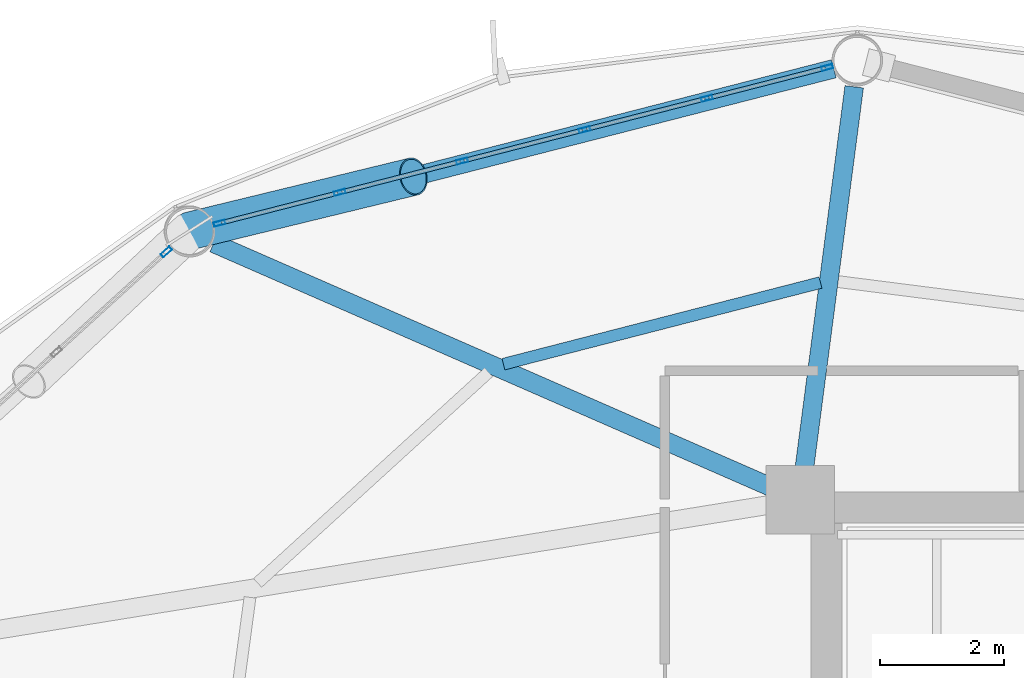
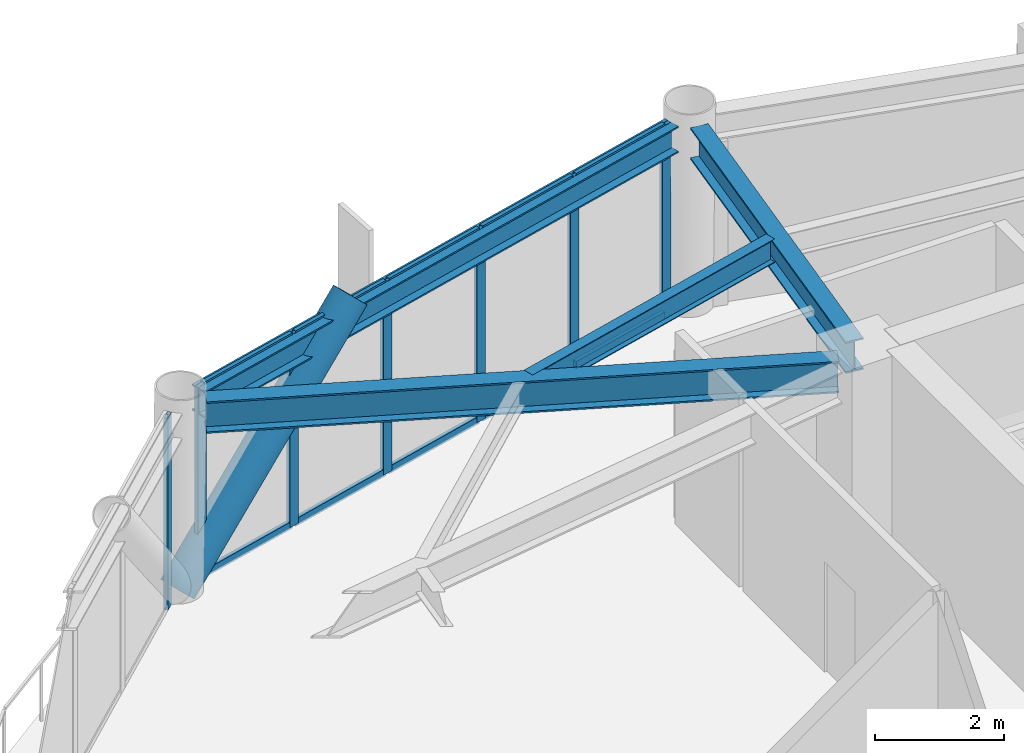
# One storey, part 16 of 25: 18 members, 4 beams, 2 elements without a shape of their own.
"""IFC4 building model written with IfcOpenShell, lengths in metres."""

import ifcopenshell
import ifcopenshell.guid

model = None  # the IFC model being written
_history = None  # IfcOwnerHistory: only IFC2X3 demands one
_inside = {}  # id of a spatial element -> (the spatial element, [elements in it])
_under = {}  # id of a project, library or spatial element -> (it, [spatial elements below it])
_declared = {}  # id of a project -> (the project, [libraries it declares])
_typed = {}  # id of a type object -> (the type object, [elements of that type])
_made_of = {}  # id of a material, layer set ... -> (it, [elements and type objects made of it])


def new_model(schema):
    """Start an empty IFC model of exactly this schema.

    Asked for "IFC4X3", IfcOpenShell would pick the latest addendum, in which some entities
    have other attributes; the version numbers below select the first issue.
    IFC2X3 requires an IfcOwnerHistory on every rooted entity: one is made here for all.
    """
    global model, _history
    if schema == "IFC4X3":
        model = ifcopenshell.file(schema_version=(4, 3, 0, 0))
    else:
        model = ifcopenshell.file(schema=schema)
    _inside.clear()
    _under.clear()
    _declared.clear()
    _typed.clear()
    _made_of.clear()
    _history = None
    if model.schema == "IFC2X3":
        org = make("IfcOrganization", Name="unknown")
        user = make(
            "IfcPersonAndOrganization",
            ThePerson=make("IfcPerson", FamilyName="unknown"),
            TheOrganization=org,
        )
        app = make(
            "IfcApplication",
            ApplicationDeveloper=org,
            Version="unknown",
            ApplicationFullName="unknown",
            ApplicationIdentifier="unknown",
        )
        _history = make(
            "IfcOwnerHistory",
            OwningUser=user,
            OwningApplication=app,
            ChangeAction="ADDED",
            CreationDate=0,
        )
    return model


def make(cls, **values):
    """One entity of the class cls with the attributes given. An attribute that is None is left unset."""
    return model.create_entity(
        cls, **{name: value for name, value in values.items() if value is not None}
    )


def rooted(cls, **values):
    """An entity with a GlobalId (a new one), such as an element, a storey or a relation."""
    return make(cls, GlobalId=ifcopenshell.guid.new(), OwnerHistory=_history, **values)


def si_unit(unit_type, name, prefix=None):
    """IfcSIUnit, for example si_unit("LENGTHUNIT", "METRE", prefix="MILLI")."""
    return make("IfcSIUnit", UnitType=unit_type, Prefix=prefix, Name=name)


def assignment(units):
    """IfcUnitAssignment: the units of a project."""
    return None if units is None else make("IfcUnitAssignment", Units=units)


def point(xyz):
    """IfcCartesianPoint."""
    return None if xyz is None else make("IfcCartesianPoint", Coordinates=xyz)


def direction(xyz):
    """IfcDirection."""
    return None if xyz is None else make("IfcDirection", DirectionRatios=xyz)


def frame(location, z_axis=None, x_axis=None):
    """IfcAxis2Placement3D, a coordinate frame: its origin and axes. An axis left out is left unset."""
    return make(
        "IfcAxis2Placement3D",
        Location=point(location),
        Axis=direction(z_axis),
        RefDirection=direction(x_axis),
    )


def frame_2d(location, x_axis=None):
    """IfcAxis2Placement2D, a coordinate frame in the plane: its origin and x axis."""
    return make(
        "IfcAxis2Placement2D", Location=point(location), RefDirection=direction(x_axis)
    )


def origin():
    """The frame at (0, 0, 0) with its axes left unset."""
    return frame((0.0, 0.0, 0.0))


def origin_2d():
    """The frame at (0, 0) in the plane with its x axis left unset."""
    return frame_2d((0.0, 0.0))


def place(relative_to, where):
    """IfcLocalPlacement: puts the frame where relative to a parent placement (None: the world)."""
    return make(
        "IfcLocalPlacement", PlacementRelTo=relative_to, RelativePlacement=where
    )


def context(
    kind, dimensions, precision=None, world=None, true_north=None, identifier=None
):
    """IfcGeometricRepresentationContext, for example the 3D "Model" context."""
    return make(
        "IfcGeometricRepresentationContext",
        ContextIdentifier=identifier,
        ContextType=kind,
        CoordinateSpaceDimension=dimensions,
        Precision=precision,
        WorldCoordinateSystem=world,
        TrueNorth=true_north,
    )


def subcontext(parent, identifier, kind, view, scale=None):
    """IfcGeometricRepresentationSubContext, for example "Body" below "Model"."""
    return make(
        "IfcGeometricRepresentationSubContext",
        ContextIdentifier=identifier,
        ContextType=kind,
        ParentContext=parent,
        TargetScale=scale,
        TargetView=view,
    )


def project(units=None, contexts=None):
    """IfcProject with its units and contexts."""
    return rooted(
        "IfcProject",
        Name="project",
        RepresentationContexts=contexts,
        UnitsInContext=assignment(units),
    )


def spatial(cls, under=None, at=None, **own):
    """A site, building, storey or space (cls), placed at a placement, below another one or the project."""
    s = rooted(cls, ObjectPlacement=at, **own)
    if under is not None:
        _under.setdefault(under.id(), (under, []))[1].append(s)
    return s


def profile(cls, at=None, kind="AREA", **sizes):
    """A parametric profile (cls). Its sizes go by their IFC names, for example OverallWidth=200.0."""
    return make(cls, ProfileType=kind, Position=at, **sizes)


def hollow_rectangle(**sizes):
    """IfcRectangleHollowProfileDef."""
    return profile("IfcRectangleHollowProfileDef", **sizes)


def hollow_circle(**sizes):
    """IfcCircleHollowProfileDef."""
    return profile("IfcCircleHollowProfileDef", **sizes)


def i_section(**sizes):
    """IfcIShapeProfileDef."""
    return profile("IfcIShapeProfileDef", **sizes)


def extrude(swept, where, along, depth):
    """IfcExtrudedAreaSolid: the profile swept, set in the frame where, extruded along a direction by depth."""
    return make(
        "IfcExtrudedAreaSolid",
        SweptArea=swept,
        Position=where,
        ExtrudedDirection=direction(along),
        Depth=depth,
    )


def shape(context_of_items, identifier, shape_type, items):
    """IfcShapeRepresentation: the items that make up one representation, for example the "Body"."""
    return make(
        "IfcShapeRepresentation",
        ContextOfItems=context_of_items,
        RepresentationIdentifier=identifier,
        RepresentationType=shape_type,
        Items=items,
    )


def material(Name=None, Category=None):
    """IfcMaterial."""
    return make("IfcMaterial", Name=Name, Category=Category)


def layer(
    of_material, thickness, ventilated=None, Name=None, Category=None, Priority=None
):
    """IfcMaterialLayer: one layer of a wall or slab, of a material (None: an air gap)."""
    return make(
        "IfcMaterialLayer",
        Material=of_material,
        LayerThickness=thickness,
        IsVentilated=ventilated,
        Name=Name,
        Category=Category,
        Priority=Priority,
    )


def layer_set(layers, Name=None):
    """IfcMaterialLayerSet."""
    return make("IfcMaterialLayerSet", MaterialLayers=layers, LayerSetName=Name)


def material_profile(
    of_material, cross_section, Name=None, Category=None, Priority=None
):
    """IfcMaterialProfile: a cross section and its material."""
    return make(
        "IfcMaterialProfile",
        Name=Name,
        Material=of_material,
        Profile=cross_section,
        Priority=Priority,
        Category=Category,
    )


def profile_set(profiles, Name=None, composite=None):
    """IfcMaterialProfileSet."""
    return make(
        "IfcMaterialProfileSet",
        Name=Name,
        MaterialProfiles=profiles,
        CompositeProfile=composite,
    )


def made_of(thing, what):
    """Note that an element or type object is made of a material, layer set ...; save() writes the relation."""
    if what is not None:
        _made_of.setdefault(what.id(), (what, []))[1].append(thing)
    return thing


def type_object(cls, material=None, **own):
    """A type object (cls), such as IfcWallType, which elements share."""
    return made_of(rooted(cls, **own), material)


def element(
    cls,
    number,
    at=None,
    inside=None,
    cuts=None,
    type_object=None,
    material=None,
    context=None,
    identifier="Body",
    shape_type=None,
    held_by="IfcProductDefinitionShape",
    body=None,
    shapes=None,
    **own,
):
    """One element of the class cls, such as IfcWall. Its Tag is "e" and its number.

    at: its placement. inside: the storey or other place that contains it. cuts: it is an
    opening in that element (IfcRelVoidsElement). A single representation is given by context,
    identifier, shape_type and body (its items); several are given by shapes. held_by: the class
    of the entity that holds the representations. save() writes the other relations.
    """
    e = rooted(cls, Tag="e%d" % number, ObjectPlacement=at, **own)
    if body is not None:
        shapes = [shape(context, identifier, shape_type, body)]
    if shapes is not None:
        e.Representation = make(held_by, Representations=shapes)
    if inside is not None:
        _inside.setdefault(inside.id(), (inside, []))[1].append(e)
    if cuts is not None:
        rooted(
            "IfcRelVoidsElement", RelatingBuildingElement=cuts, RelatedOpeningElement=e
        )
    if type_object is not None:
        _typed.setdefault(type_object.id(), (type_object, []))[1].append(e)
    return made_of(e, material)


def aggregate(whole, parts):
    """IfcRelAggregates: a whole, such as a stair, and the parts it consists of."""
    return rooted("IfcRelAggregates", RelatingObject=whole, RelatedObjects=parts)


def save(model, path):
    """Write the relations noted so far, then the file.

    IfcRelAggregates (storeys below a building ...), IfcRelContainedInSpatialStructure (elements
    in a storey), IfcRelDefinesByType, IfcRelAssociatesMaterial and IfcRelDeclares: one each for
    every whole, place, type object, material and project.
    """
    for whole, parts in _under.values():
        aggregate(whole, parts)
    for where, things in _inside.values():
        rooted(
            "IfcRelContainedInSpatialStructure",
            RelatedElements=things,
            RelatingStructure=where,
        )
    for kind, things in _typed.values():
        rooted("IfcRelDefinesByType", RelatedObjects=things, RelatingType=kind)
    for what, things in _made_of.values():
        rooted("IfcRelAssociatesMaterial", RelatedObjects=things, RelatingMaterial=what)
    for by, libraries in _declared.values():
        rooted("IfcRelDeclares", RelatingContext=by, RelatedDefinitions=libraries)
    model.write(path)


model = new_model("IFC4")

# Units and contexts
model_context = context("Model", 3, precision=1e-05, world=origin(), true_north=direction((0.0, 1.0)))
body_context = subcontext(model_context, "Body", "Model", "MODEL_VIEW")
ifc_project = project(units=[si_unit("LENGTHUNIT", "METRE"), si_unit("AREAUNIT", "SQUARE_METRE"), si_unit("VOLUMEUNIT", "CUBIC_METRE"), si_unit("PLANEANGLEUNIT", "RADIAN"), si_unit("MASSUNIT", "GRAM", prefix="KILO")], contexts=[model_context])

# Site, building, storey
site_placement = place(None, origin())
site = spatial("IfcSite", under=ifc_project, at=site_placement, CompositionType="ELEMENT")
building_placement = place(site_placement, origin())
building = spatial("IfcBuilding", under=site, at=building_placement, Name="Varnakorn Sky Granary", CompositionType="ELEMENT")
storey_placement = place(building_placement, frame((0.0, 0.0, 99.300048828125)))
storey = spatial("IfcBuildingStorey", under=building, at=storey_placement, Name="L24", CompositionType="ELEMENT", Elevation=99.300048828125)

# Beams
ifc_material_1 = material(Name="Steel S355JR", Category="steel")
ifc_material_profile_1 = material_profile(ifc_material_1, i_section(OverallWidth=0.300048828125, OverallDepth=0.60009765625, WebThickness=0.015380859375, FlangeThickness=0.030029296875, at=origin_2d()), Name="HE 600 B")
ifc_profile_set_1 = profile_set([ifc_material_profile_1], Name="Steel S355JR")
beam_type_1 = type_object("IfcBeamType", Name="BM-RAD-Z2", PredefinedType="BEAM", material=ifc_profile_set_1)
beam_1_placement = place(storey_placement, frame((-2.365478515625, 13.03662109375, 3.33984375), z_axis=(0.129561599081, 0.991571375164, 0.0), x_axis=(-0.991571375164, 0.129561599081, 0.0)))
element("IfcBeam", 1, at=beam_1_placement, inside=storey, type_object=beam_type_1, Name="Radial Floor Girder RG04 L24", PredefinedType="BEAM", context=body_context, shape_type="SweptSolid", body=[
    extrude(i_section(OverallWidth=0.300048828125, OverallDepth=0.60009765625, WebThickness=0.015380859375, FlangeThickness=0.030029296875, at=origin_2d()), origin(), (0.0, 0.0, 1.0), 6.2880859375),
])
beam_2_placement = place(storey_placement, frame((-2.8046875, 12.788330078125, 3.33984375), z_axis=(-0.916161867429, 0.400808473798, 0.0), x_axis=(-0.400808473798, -0.916161867429, 0.0)))
element("IfcBeam", 2, at=beam_2_placement, inside=storey, type_object=beam_type_1, Name="Radial Floor Girder RG05 L24", PredefinedType="BEAM", context=body_context, shape_type="SweptSolid", body=[
    extrude(i_section(OverallWidth=0.300048828125, OverallDepth=0.60009765625, WebThickness=0.015380859375, FlangeThickness=0.030029296875, at=origin_2d()), origin(), (0.0, 0.0, 1.0), 9.8896484375),
])
ifc_material_profile_2 = material_profile(ifc_material_1, i_section(OverallWidth=0.18994140625, OverallDepth=0.449951171875, WebThickness=0.009521484375, FlangeThickness=0.0146484375, at=origin_2d()), Name="IPE 450")
ifc_profile_set_2 = profile_set([ifc_material_profile_2], Name="Steel S355JR")
beam_type_2 = type_object("IfcBeamType", Name="BM-SEC-Z2", PredefinedType="BEAM", material=ifc_profile_set_2)
beam_3_placement = place(storey_placement, frame((-2.09375, 16.119384765625, 3.4150390625), z_axis=(-0.96843291014, -0.249274343962, 0.0), x_axis=(0.249274343962, -0.96843291014, 0.0)))
element("IfcBeam", 3, at=beam_3_placement, inside=storey, type_object=beam_type_2, Name="Secondary Floor Chord Beam MSB04 L24", PredefinedType="BEAM", context=body_context, shape_type="SweptSolid", body=[
    extrude(i_section(OverallWidth=0.18994140625, OverallDepth=0.449951171875, WebThickness=0.009521484375, FlangeThickness=0.0146484375, at=origin_2d()), origin(), (0.0, 0.0, 1.0), 5.272216796875),
])
ifc_material_profile_3 = material_profile(ifc_material_1, i_section(OverallWidth=0.300048828125, OverallDepth=0.5, WebThickness=0.014404296875, FlangeThickness=0.028076171875, at=origin_2d()), Name="HE 500 B")
ifc_profile_set_3 = profile_set([ifc_material_profile_3], Name="Steel S355JR")
beam_type_3 = type_object("IfcBeamType", Name="BM-SPD-Z2", PredefinedType="SPANDREL", material=ifc_profile_set_3)
beam_4_placement = place(storey_placement, frame((-1.879150390625, 19.562744140625, 3.389892578125), z_axis=(-0.968637656568, -0.248477544818, 0.0), x_axis=(0.248477544818, -0.968637656568, 0.0)))
element("IfcBeam", 4, at=beam_4_placement, inside=storey, type_object=beam_type_3, Name="Perimeter Spandrel Ring Beam RB04 L24", PredefinedType="SPANDREL", context=body_context, shape_type="SweptSolid", body=[
    extrude(i_section(OverallWidth=0.300048828125, OverallDepth=0.5, WebThickness=0.014404296875, FlangeThickness=0.028076171875, at=origin_2d()), origin(), (0.0, 0.0, 1.0), 10.288330078125),
])

# Curtain wall, members
ifc_material_2 = material(Name="Anodised Bronze Aluminium Alloy 6063-T6", Category="aluminium")
ifc_layer = layer(ifc_material_2, 0.18994140625, Name="Anodised Bronze Aluminium Alloy 6063-T6")
ifc_layer_set = layer_set([ifc_layer], Name="Anodised Bronze Aluminium Alloy 6063-T6")
curtain_wall_type = type_object("IfcCurtainWallType", Name="CW-FRM-1", PredefinedType="USERDEFINED", material=ifc_layer_set)
curtain_wall_1_placement = place(storey_placement, origin())
curtain_wall_1 = element("IfcCurtainWall", 5, at=curtain_wall_1_placement, inside=storey, type_object=curtain_wall_type, Name="Unitised Curtain Wall CW3 CW-L24-B04", ObjectType="CURTAIN WALL", PredefinedType="USERDEFINED")
ifc_material_profile_4 = material_profile(ifc_material_2, hollow_rectangle(XDim=0.070068359375, YDim=0.18505859375, WallThickness=0.00390625, at=origin_2d()), Name="ALU MULL 70x185")
ifc_profile_set_4 = profile_set([ifc_material_profile_4], Name="Anodised Bronze Aluminium Alloy 6063-T6")
member_type_1 = type_object("IfcMemberType", Name="CW-FRM-1-MULL", PredefinedType="MULLION", material=ifc_profile_set_4)
member_1_placement = place(storey_placement, frame((-11.771728515625, 17.07421875, 0.0), z_axis=(0.0, 0.0, 1.0), x_axis=(-0.248284052868, 0.968687271049, 0.0)))
member_1 = element("IfcMember", 6, at=member_1_placement, type_object=member_type_1, Name="CW3 mullion 1", PredefinedType="MULLION", context=body_context, shape_type="SweptSolid", body=[
    extrude(hollow_rectangle(XDim=0.070068359375, YDim=0.18505859375, WallThickness=0.00390625, at=origin_2d()), origin(), (0.0, 0.0, 1.0), 3.639892578125),
])
member_2_placement = place(storey_placement, frame((-9.8349609375, 17.57080078125, 0.0), z_axis=(0.0, 0.0, 1.0), x_axis=(-0.248284052868, 0.968687271049, 0.0)))
member_2 = element("IfcMember", 7, at=member_2_placement, type_object=member_type_1, Name="CW3 mullion 2", PredefinedType="MULLION", context=body_context, shape_type="SweptSolid", body=[
    extrude(hollow_rectangle(XDim=0.070068359375, YDim=0.18505859375, WallThickness=0.00390625, at=origin_2d()), origin(), (0.0, 0.0, 1.0), 3.639892578125),
])
member_3_placement = place(storey_placement, frame((-7.864013671875, 18.075927734375, 0.0), z_axis=(0.0, 0.0, 1.0), x_axis=(-0.248284052868, 0.968687271049, 0.0)))
member_3 = element("IfcMember", 8, at=member_3_placement, type_object=member_type_1, Name="CW3 mullion 3", PredefinedType="MULLION", context=body_context, shape_type="SweptSolid", body=[
    extrude(hollow_rectangle(XDim=0.070068359375, YDim=0.18505859375, WallThickness=0.00390625, at=origin_2d()), origin(), (0.0, 0.0, 1.0), 3.639892578125),
])
member_4_placement = place(storey_placement, frame((-5.893310546875, 18.5810546875, 0.0), z_axis=(0.0, 0.0, 1.0), x_axis=(-0.248284052868, 0.968687271049, 0.0)))
member_4 = element("IfcMember", 9, at=member_4_placement, type_object=member_type_1, Name="CW3 mullion 4", PredefinedType="MULLION", context=body_context, shape_type="SweptSolid", body=[
    extrude(hollow_rectangle(XDim=0.070068359375, YDim=0.18505859375, WallThickness=0.00390625, at=origin_2d()), origin(), (0.0, 0.0, 1.0), 3.639892578125),
])
member_5_placement = place(storey_placement, frame((-3.922607421875, 19.086181640625, 0.0), z_axis=(0.0, 0.0, 1.0), x_axis=(-0.248284052868, 0.968687271049, 0.0)))
member_5 = element("IfcMember", 10, at=member_5_placement, type_object=member_type_1, Name="CW3 mullion 5", PredefinedType="MULLION", context=body_context, shape_type="SweptSolid", body=[
    extrude(hollow_rectangle(XDim=0.070068359375, YDim=0.18505859375, WallThickness=0.00390625, at=origin_2d()), origin(), (0.0, 0.0, 1.0), 3.639892578125),
])
member_6_placement = place(storey_placement, frame((-1.98583984375, 19.58251953125, 0.0), z_axis=(0.0, 0.0, 1.0), x_axis=(-0.248284052868, 0.968687271049, 0.0)))
member_6 = element("IfcMember", 11, at=member_6_placement, type_object=member_type_1, Name="CW3 mullion 6", PredefinedType="MULLION", context=body_context, shape_type="SweptSolid", body=[
    extrude(hollow_rectangle(XDim=0.070068359375, YDim=0.18505859375, WallThickness=0.00390625, at=origin_2d()), origin(), (0.0, 0.0, 1.0), 3.639892578125),
])

# Curtain wall, member
curtain_wall_2_placement = place(storey_placement, origin())
curtain_wall_2 = element("IfcCurtainWall", 12, at=curtain_wall_2_placement, inside=storey, type_object=curtain_wall_type, Name="Unitised Curtain Wall CW3 CW-L24-B05", ObjectType="CURTAIN WALL", PredefinedType="USERDEFINED")
member_7_placement = place(storey_placement, frame((-12.62841796875, 16.6123046875, 0.0), z_axis=(0.0, 0.0, 1.0), x_axis=(-0.672918732545, 0.739716418224, 0.0)))
member_7 = element("IfcMember", 13, at=member_7_placement, type_object=member_type_1, Name="CW3 mullion 5", PredefinedType="MULLION", context=body_context, shape_type="SweptSolid", body=[
    extrude(hollow_rectangle(XDim=0.070068359375, YDim=0.18505859375, WallThickness=0.00390625, at=origin_2d()), origin(), (0.0, 0.0, 1.0), 3.639892578125),
])
aggregate(curtain_wall_2, [member_7])

# Member
ifc_material_profile_5 = material_profile(ifc_material_2, hollow_rectangle(XDim=0.070068359375, YDim=0.139892578125, WallThickness=0.00341796875, at=origin_2d()), Name="ALU TRAN 70x140")
ifc_profile_set_5 = profile_set([ifc_material_profile_5], Name="Anodised Bronze Aluminium Alloy 6063-T6")
member_type_2 = type_object("IfcMemberType", Name="CW-FRM-1-TRAN", PredefinedType="USERDEFINED", material=ifc_profile_set_5)
member_8_placement = place(storey_placement, frame((-11.73779296875, 17.0830078125, 0.034912109375), z_axis=(0.968696640867, 0.248247493388, 0.0), x_axis=(-0.248247493388, 0.968696640867, 0.0)))
member_8 = element("IfcMember", 14, at=member_8_placement, type_object=member_type_2, Name="CW3 transom 1.1", ObjectType="TRANSOM", PredefinedType="USERDEFINED", context=body_context, shape_type="SweptSolid", body=[
    extrude(hollow_rectangle(XDim=0.070068359375, YDim=0.139892578125, WallThickness=0.00341796875, at=origin_2d()), origin(), (0.0, 0.0, 1.0), 1.929443359375),
])

member_9_placement = place(storey_placement, frame((-11.73779296875, 17.0830078125, 3.60498046875), z_axis=(0.968696640867, 0.248247493388, 0.0), x_axis=(-0.248247493388, 0.968696640867, 0.0)))
member_9 = element("IfcMember", 15, at=member_9_placement, type_object=member_type_2, Name="CW3 transom 1.2", ObjectType="TRANSOM", PredefinedType="USERDEFINED", context=body_context, shape_type="SweptSolid", body=[
    extrude(hollow_rectangle(XDim=0.070068359375, YDim=0.139892578125, WallThickness=0.00341796875, at=origin_2d()), origin(), (0.0, 0.0, 1.0), 1.929443359375),
])

member_10_placement = place(storey_placement, frame((-9.801025390625, 17.579345703125, 0.034912109375), z_axis=(0.968685327957, 0.248291633773, 0.0), x_axis=(-0.248291633773, 0.968685327957, 0.0)))
member_10 = element("IfcMember", 16, at=member_10_placement, type_object=member_type_2, Name="CW3 transom 2.1", ObjectType="TRANSOM", PredefinedType="USERDEFINED", context=body_context, shape_type="SweptSolid", body=[
    extrude(hollow_rectangle(XDim=0.070068359375, YDim=0.139892578125, WallThickness=0.00341796875, at=origin_2d()), origin(), (0.0, 0.0, 1.0), 1.964599609375),
])

member_11_placement = place(storey_placement, frame((-9.801025390625, 17.579345703125, 3.60498046875), z_axis=(0.968685327957, 0.248291633773, 0.0), x_axis=(-0.248291633773, 0.968685327957, 0.0)))
member_11 = element("IfcMember", 17, at=member_11_placement, type_object=member_type_2, Name="CW3 transom 2.2", ObjectType="TRANSOM", PredefinedType="USERDEFINED", context=body_context, shape_type="SweptSolid", body=[
    extrude(hollow_rectangle(XDim=0.070068359375, YDim=0.139892578125, WallThickness=0.00341796875, at=origin_2d()), origin(), (0.0, 0.0, 1.0), 1.964599609375),
])

member_12_placement = place(storey_placement, frame((-7.830322265625, 18.08447265625, 0.034912109375), z_axis=(0.968685327957, 0.248291633773, 0.0), x_axis=(-0.248291633773, 0.968685327957, 0.0)))
member_12 = element("IfcMember", 18, at=member_12_placement, type_object=member_type_2, Name="CW3 transom 3.1", ObjectType="TRANSOM", PredefinedType="USERDEFINED", context=body_context, shape_type="SweptSolid", body=[
    extrude(hollow_rectangle(XDim=0.070068359375, YDim=0.139892578125, WallThickness=0.00341796875, at=origin_2d()), origin(), (0.0, 0.0, 1.0), 1.964599609375),
])

member_13_placement = place(storey_placement, frame((-7.830322265625, 18.08447265625, 3.60498046875), z_axis=(0.968685327957, 0.248291633773, 0.0), x_axis=(-0.248291633773, 0.968685327957, 0.0)))
member_13 = element("IfcMember", 19, at=member_13_placement, type_object=member_type_2, Name="CW3 transom 3.2", ObjectType="TRANSOM", PredefinedType="USERDEFINED", context=body_context, shape_type="SweptSolid", body=[
    extrude(hollow_rectangle(XDim=0.070068359375, YDim=0.139892578125, WallThickness=0.00341796875, at=origin_2d()), origin(), (0.0, 0.0, 1.0), 1.964599609375),
])

member_14_placement = place(storey_placement, frame((-5.859375, 18.589599609375, 0.034912109375), z_axis=(0.968677665479, 0.248321526255, 0.0), x_axis=(-0.248321526255, 0.968677665479, 0.0)))
member_14 = element("IfcMember", 20, at=member_14_placement, type_object=member_type_2, Name="CW3 transom 4.1", ObjectType="TRANSOM", PredefinedType="USERDEFINED", context=body_context, shape_type="SweptSolid", body=[
    extrude(hollow_rectangle(XDim=0.070068359375, YDim=0.139892578125, WallThickness=0.00341796875, at=origin_2d()), origin(), (0.0, 0.0, 1.0), 1.96435546875),
])

member_15_placement = place(storey_placement, frame((-5.859375, 18.589599609375, 3.60498046875), z_axis=(0.968677665479, 0.248321526255, 0.0), x_axis=(-0.248321526255, 0.968677665479, 0.0)))
member_15 = element("IfcMember", 21, at=member_15_placement, type_object=member_type_2, Name="CW3 transom 4.2", ObjectType="TRANSOM", PredefinedType="USERDEFINED", context=body_context, shape_type="SweptSolid", body=[
    extrude(hollow_rectangle(XDim=0.070068359375, YDim=0.139892578125, WallThickness=0.00341796875, at=origin_2d()), origin(), (0.0, 0.0, 1.0), 1.96435546875),
])

member_16_placement = place(storey_placement, frame((-3.888671875, 19.0947265625, 0.034912109375), z_axis=(0.968688841929, 0.248277923954, 0.0), x_axis=(-0.248277923954, 0.968688841929, 0.0)))
member_16 = element("IfcMember", 22, at=member_16_placement, type_object=member_type_2, Name="CW3 transom 5.1", ObjectType="TRANSOM", PredefinedType="USERDEFINED", context=body_context, shape_type="SweptSolid", body=[
    extrude(hollow_rectangle(XDim=0.070068359375, YDim=0.139892578125, WallThickness=0.00341796875, at=origin_2d()), origin(), (0.0, 0.0, 1.0), 1.92919921875),
])

member_17_placement = place(storey_placement, frame((-3.888671875, 19.0947265625, 3.60498046875), z_axis=(0.968688841929, 0.248277923954, 0.0), x_axis=(-0.248277923954, 0.968688841929, 0.0)))
member_17 = element("IfcMember", 23, at=member_17_placement, type_object=member_type_2, Name="CW3 transom 5.2", ObjectType="TRANSOM", PredefinedType="USERDEFINED", context=body_context, shape_type="SweptSolid", body=[
    extrude(hollow_rectangle(XDim=0.070068359375, YDim=0.139892578125, WallThickness=0.00341796875, at=origin_2d()), origin(), (0.0, 0.0, 1.0), 1.92919921875),
])

aggregate(curtain_wall_1, [member_1, member_2, member_3, member_4, member_5, member_6, member_8, member_9, member_10, member_11, member_12, member_13, member_14, member_15, member_16, member_17])

ifc_material_3 = material(Name="Steel S460M", Category="steel")
ifc_material_profile_6 = material_profile(ifc_material_3, hollow_circle(Radius=0.304931640625, WallThickness=0.022216796875, at=origin_2d()), Name="CHS 610x22")
ifc_profile_set_6 = profile_set([ifc_material_profile_6], Name="Steel S460M")
member_type_3 = type_object("IfcMemberType", Name="MB-DIAG-T1", PredefinedType="BRACE", material=ifc_profile_set_6)
member_18_placement = place(storey_placement, frame((-12.257568359375, 16.94970703125, 0.0), z_axis=(0.680041440888, 0.165190389931, 0.714321897851), x_axis=(-0.236047886364, 0.971741424116, 0.0)))
element("IfcMember", 24, at=member_18_placement, inside=storey, type_object=member_type_3, Name="Perimeter CHS Diagrid Brace DG04 L24", PredefinedType="BRACE", context=body_context, shape_type="SweptSolid", body=[
    extrude(hollow_circle(Radius=0.304931640625, WallThickness=0.022216796875, at=origin_2d()), origin(), (0.0, 0.0, 1.0), 5.3056640625),
])

save(model, "model.ifc")
